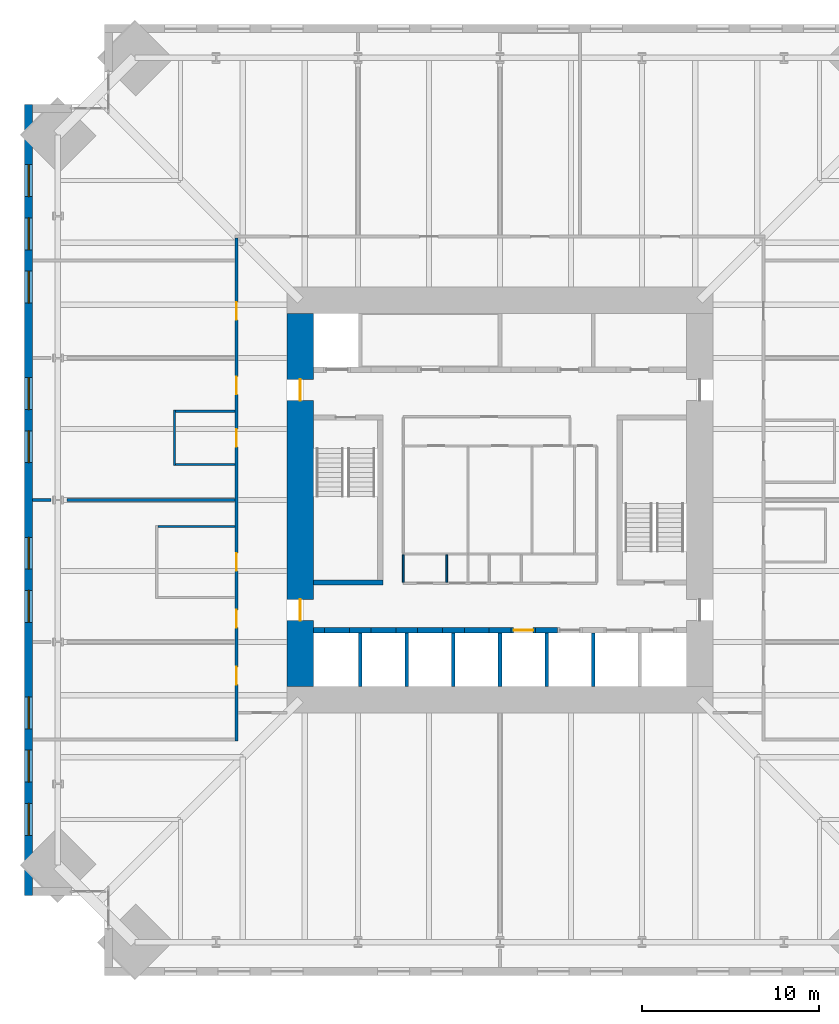
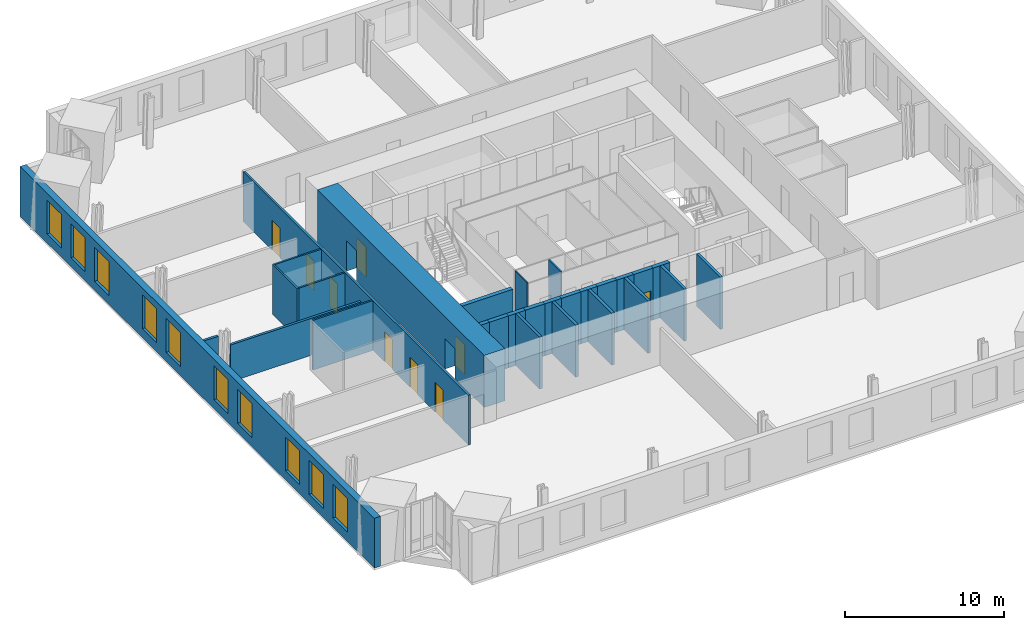
# One storey, part 12 of 17: 29 walls, 10 windows, 9 doors, 19 openings.
"""IFC4 building model written with IfcOpenShell, lengths in metres."""

from ifc_helpers import new_model, si_unit, direction, frame, frame_2d, origin, place, context, subcontext, project, spatial, rectangle, extrude, material, layer, layer_set, type_object, element, fill, save


model = new_model("IFC4")

# Units and contexts
model_context = context("Model", 3, precision=1e-05, world=origin(), true_north=direction((0.0, 1.0)))
body_context = subcontext(model_context, "Body", "Model", "MODEL_VIEW")
ifc_project = project(units=[si_unit("LENGTHUNIT", "METRE"), si_unit("AREAUNIT", "SQUARE_METRE"), si_unit("VOLUMEUNIT", "CUBIC_METRE"), si_unit("PLANEANGLEUNIT", "RADIAN"), si_unit("MASSUNIT", "GRAM", prefix="KILO")], contexts=[model_context])

# Site, building, storey
site_placement = place(None, origin())
site = spatial("IfcSite", under=ifc_project, at=site_placement, CompositionType="ELEMENT")
building_placement = place(site_placement, origin())
building = spatial("IfcBuilding", under=site, at=building_placement, Name="Peilmerk Tower", CompositionType="ELEMENT")
storey_placement = place(building_placement, frame((0.0, 0.0, 147.800048828125)))
storey = spatial("IfcBuildingStorey", under=building, at=storey_placement, Name="L30", CompositionType="ELEMENT", Elevation=147.800048828125)

# Wall, openings, windows
ifc_material_1 = material(Name="Precast concrete C45/55, board-marked finish", Category="concrete")
ifc_layer_1 = layer(ifc_material_1, 0.449951171875)
ifc_layer_set_1 = layer_set([ifc_layer_1], Name="Precast concrete C45/55, board-marked finish")
wall_type_1 = type_object("IfcWallType", Name="EW1 450 precast concrete facade wall, board-marked", PredefinedType="SOLIDWALL", material=ifc_layer_set_1)
wall_1_placement = place(storey_placement, frame((-26.574951171875, 22.300048828125, 0.0), z_axis=(0.0, 0.0, 1.0), x_axis=(0.0, -1.0, 0.0)))
wall_1 = element("IfcWall", 1, at=wall_1_placement, inside=storey, type_object=wall_type_1, Name="Facade wall W L30", PredefinedType="SOLIDWALL", context=body_context, shape_type="SweptSolid", body=[
    extrude(rectangle(XDim=44.60009765625, YDim=0.449951171875, at=frame_2d((22.300048828125, 0.0))), origin(), (0.0, 0.0, 1.0), 3.829833984375),
])
opening_1_placement = place(wall_1_placement, frame((3.39990234375, 0.0, 0.699951171875)))
opening_1 = element("IfcOpeningElement", 2, at=opening_1_placement, cuts=wall_1, Name="Opening W1", PredefinedType="OPENING", context=body_context, shape_type="SweptSolid", body=[
    extrude(rectangle(XDim=1.800048828125, YDim=2.60009765625, at=frame_2d((0.89990234375, 1.300048828125))), frame((0.0, 0.23486328125, 0.0), z_axis=(0.0, -1.0, 0.0), x_axis=(1.0, 0.0, 0.0)), (0.0, 0.0, 1.0), 0.469970703125),
])
opening_2_placement = place(wall_1_placement, frame((6.39990234375, 0.0, 0.699951171875)))
opening_2 = element("IfcOpeningElement", 3, at=opening_2_placement, cuts=wall_1, Name="Opening W1", PredefinedType="OPENING", context=body_context, shape_type="SweptSolid", body=[
    extrude(rectangle(XDim=1.800048828125, YDim=2.60009765625, at=frame_2d((0.89990234375, 1.300048828125))), frame((0.0, 0.23486328125, 0.0), z_axis=(0.0, -1.0, 0.0), x_axis=(1.0, 0.0, 0.0)), (0.0, 0.0, 1.0), 0.469970703125),
])
opening_3_placement = place(wall_1_placement, frame((9.39990234375, 0.0, 0.699951171875)))
opening_3 = element("IfcOpeningElement", 4, at=opening_3_placement, cuts=wall_1, Name="Opening W1", PredefinedType="OPENING", context=body_context, shape_type="SweptSolid", body=[
    extrude(rectangle(XDim=1.800048828125, YDim=2.60009765625, at=frame_2d((0.89990234375, 1.300048828125))), frame((0.0, 0.23486328125, 0.0), z_axis=(0.0, -1.0, 0.0), x_axis=(1.0, 0.0, 0.0)), (0.0, 0.0, 1.0), 0.469970703125),
])
opening_4_placement = place(wall_1_placement, frame((15.39990234375, 0.0, 0.699951171875)))
opening_4 = element("IfcOpeningElement", 5, at=opening_4_placement, cuts=wall_1, Name="Opening W1", PredefinedType="OPENING", context=body_context, shape_type="SweptSolid", body=[
    extrude(rectangle(XDim=1.800048828125, YDim=2.60009765625, at=frame_2d((0.89990234375, 1.300048828125))), frame((0.0, 0.23486328125, 0.0), z_axis=(0.0, -1.0, 0.0), x_axis=(1.0, 0.0, 0.0)), (0.0, 0.0, 1.0), 0.469970703125),
])
opening_5_placement = place(wall_1_placement, frame((18.39990234375, 0.0, 0.699951171875)))
opening_5 = element("IfcOpeningElement", 6, at=opening_5_placement, cuts=wall_1, Name="Opening W1", PredefinedType="OPENING", context=body_context, shape_type="SweptSolid", body=[
    extrude(rectangle(XDim=1.800048828125, YDim=2.60009765625, at=frame_2d((0.89990234375, 1.300048828125))), frame((0.0, 0.23486328125, 0.0), z_axis=(0.0, -1.0, 0.0), x_axis=(1.0, 0.0, 0.0)), (0.0, 0.0, 1.0), 0.469970703125),
])
opening_6_placement = place(wall_1_placement, frame((24.39990234375, 0.0, 0.699951171875)))
opening_6 = element("IfcOpeningElement", 7, at=opening_6_placement, cuts=wall_1, Name="Opening W1", PredefinedType="OPENING", context=body_context, shape_type="SweptSolid", body=[
    extrude(rectangle(XDim=1.800048828125, YDim=2.60009765625, at=frame_2d((0.89990234375, 1.300048828125))), frame((0.0, 0.23486328125, 0.0), z_axis=(0.0, -1.0, 0.0), x_axis=(1.0, 0.0, 0.0)), (0.0, 0.0, 1.0), 0.469970703125),
])
opening_7_placement = place(wall_1_placement, frame((27.39990234375, 0.0, 0.699951171875)))
opening_7 = element("IfcOpeningElement", 8, at=opening_7_placement, cuts=wall_1, Name="Opening W1", PredefinedType="OPENING", context=body_context, shape_type="SweptSolid", body=[
    extrude(rectangle(XDim=1.800048828125, YDim=2.60009765625, at=frame_2d((0.89990234375, 1.300048828125))), frame((0.0, 0.23486328125, 0.0), z_axis=(0.0, -1.0, 0.0), x_axis=(1.0, 0.0, 0.0)), (0.0, 0.0, 1.0), 0.469970703125),
])
opening_8_placement = place(wall_1_placement, frame((33.39990234375, 0.0, 0.699951171875)))
opening_8 = element("IfcOpeningElement", 9, at=opening_8_placement, cuts=wall_1, Name="Opening W1", PredefinedType="OPENING", context=body_context, shape_type="SweptSolid", body=[
    extrude(rectangle(XDim=1.800048828125, YDim=2.60009765625, at=frame_2d((0.89990234375, 1.300048828125))), frame((0.0, 0.23486328125, 0.0), z_axis=(0.0, -1.0, 0.0), x_axis=(1.0, 0.0, 0.0)), (0.0, 0.0, 1.0), 0.469970703125),
])
opening_9_placement = place(wall_1_placement, frame((36.39990234375, 0.0, 0.699951171875)))
opening_9 = element("IfcOpeningElement", 10, at=opening_9_placement, cuts=wall_1, Name="Opening W1", PredefinedType="OPENING", context=body_context, shape_type="SweptSolid", body=[
    extrude(rectangle(XDim=1.800048828125, YDim=2.60009765625, at=frame_2d((0.89990234375, 1.300048828125))), frame((0.0, 0.23486328125, 0.0), z_axis=(0.0, -1.0, 0.0), x_axis=(1.0, 0.0, 0.0)), (0.0, 0.0, 1.0), 0.469970703125),
])
opening_10_placement = place(wall_1_placement, frame((39.39990234375, 0.0, 0.699951171875)))
opening_10 = element("IfcOpeningElement", 11, at=opening_10_placement, cuts=wall_1, Name="Opening W1", PredefinedType="OPENING", context=body_context, shape_type="SweptSolid", body=[
    extrude(rectangle(XDim=1.800048828125, YDim=2.60009765625, at=frame_2d((0.89990234375, 1.300048828125))), frame((0.0, 0.23486328125, 0.0), z_axis=(0.0, -1.0, 0.0), x_axis=(1.0, 0.0, 0.0)), (0.0, 0.0, 1.0), 0.469970703125),
])
ifc_material_2 = material(Name="Aluminium frame, clear double glazing", Category="aluminium")
window_type = type_object("IfcWindowType", Name="W1 1800x2600 office window", PartitioningType="SINGLE_PANEL", PredefinedType="WINDOW", material=ifc_material_2)
window_1_placement = place(opening_1_placement, origin())
window_1 = element("IfcWindow", 12, at=window_1_placement, inside=storey, type_object=window_type, Name="Window W1 L30", OverallHeight=2.60009765625, OverallWidth=1.800048828125, PartitioningType="SINGLE_PANEL", PredefinedType="WINDOW", context=body_context, shape_type="SweptSolid", body=[
    extrude(rectangle(XDim=1.800048828125, YDim=2.60009765625, at=frame_2d((0.89990234375, 1.300048828125))), frame((0.0, 0.030029296875, 0.0), z_axis=(0.0, -1.0, 0.0), x_axis=(1.0, 0.0, 0.0)), (0.0, 0.0, 1.0), 0.06005859375),
])
fill(opening_1, window_1)
window_2_placement = place(opening_2_placement, origin())
window_2 = element("IfcWindow", 13, at=window_2_placement, inside=storey, type_object=window_type, Name="Window W1 L30", OverallHeight=2.60009765625, OverallWidth=1.800048828125, PartitioningType="SINGLE_PANEL", PredefinedType="WINDOW", context=body_context, shape_type="SweptSolid", body=[
    extrude(rectangle(XDim=1.800048828125, YDim=2.60009765625, at=frame_2d((0.89990234375, 1.300048828125))), frame((0.0, 0.030029296875, 0.0), z_axis=(0.0, -1.0, 0.0), x_axis=(1.0, 0.0, 0.0)), (0.0, 0.0, 1.0), 0.06005859375),
])
fill(opening_2, window_2)
window_3_placement = place(opening_3_placement, origin())
window_3 = element("IfcWindow", 14, at=window_3_placement, inside=storey, type_object=window_type, Name="Window W1 L30", OverallHeight=2.60009765625, OverallWidth=1.800048828125, PartitioningType="SINGLE_PANEL", PredefinedType="WINDOW", context=body_context, shape_type="SweptSolid", body=[
    extrude(rectangle(XDim=1.800048828125, YDim=2.60009765625, at=frame_2d((0.89990234375, 1.300048828125))), frame((0.0, 0.030029296875, 0.0), z_axis=(0.0, -1.0, 0.0), x_axis=(1.0, 0.0, 0.0)), (0.0, 0.0, 1.0), 0.06005859375),
])
fill(opening_3, window_3)
window_4_placement = place(opening_4_placement, origin())
window_4 = element("IfcWindow", 15, at=window_4_placement, inside=storey, type_object=window_type, Name="Window W1 L30", OverallHeight=2.60009765625, OverallWidth=1.800048828125, PartitioningType="SINGLE_PANEL", PredefinedType="WINDOW", context=body_context, shape_type="SweptSolid", body=[
    extrude(rectangle(XDim=1.800048828125, YDim=2.60009765625, at=frame_2d((0.89990234375, 1.300048828125))), frame((0.0, 0.030029296875, 0.0), z_axis=(0.0, -1.0, 0.0), x_axis=(1.0, 0.0, 0.0)), (0.0, 0.0, 1.0), 0.06005859375),
])
fill(opening_4, window_4)
window_5_placement = place(opening_5_placement, origin())
window_5 = element("IfcWindow", 16, at=window_5_placement, inside=storey, type_object=window_type, Name="Window W1 L30", OverallHeight=2.60009765625, OverallWidth=1.800048828125, PartitioningType="SINGLE_PANEL", PredefinedType="WINDOW", context=body_context, shape_type="SweptSolid", body=[
    extrude(rectangle(XDim=1.800048828125, YDim=2.60009765625, at=frame_2d((0.89990234375, 1.300048828125))), frame((0.0, 0.030029296875, 0.0), z_axis=(0.0, -1.0, 0.0), x_axis=(1.0, 0.0, 0.0)), (0.0, 0.0, 1.0), 0.06005859375),
])
fill(opening_5, window_5)
window_6_placement = place(opening_6_placement, origin())
window_6 = element("IfcWindow", 17, at=window_6_placement, inside=storey, type_object=window_type, Name="Window W1 L30", OverallHeight=2.60009765625, OverallWidth=1.800048828125, PartitioningType="SINGLE_PANEL", PredefinedType="WINDOW", context=body_context, shape_type="SweptSolid", body=[
    extrude(rectangle(XDim=1.800048828125, YDim=2.60009765625, at=frame_2d((0.89990234375, 1.300048828125))), frame((0.0, 0.030029296875, 0.0), z_axis=(0.0, -1.0, 0.0), x_axis=(1.0, 0.0, 0.0)), (0.0, 0.0, 1.0), 0.06005859375),
])
fill(opening_6, window_6)
window_7_placement = place(opening_7_placement, origin())
window_7 = element("IfcWindow", 18, at=window_7_placement, inside=storey, type_object=window_type, Name="Window W1 L30", OverallHeight=2.60009765625, OverallWidth=1.800048828125, PartitioningType="SINGLE_PANEL", PredefinedType="WINDOW", context=body_context, shape_type="SweptSolid", body=[
    extrude(rectangle(XDim=1.800048828125, YDim=2.60009765625, at=frame_2d((0.89990234375, 1.300048828125))), frame((0.0, 0.030029296875, 0.0), z_axis=(0.0, -1.0, 0.0), x_axis=(1.0, 0.0, 0.0)), (0.0, 0.0, 1.0), 0.06005859375),
])
fill(opening_7, window_7)
window_8_placement = place(opening_8_placement, origin())
window_8 = element("IfcWindow", 19, at=window_8_placement, inside=storey, type_object=window_type, Name="Window W1 L30", OverallHeight=2.60009765625, OverallWidth=1.800048828125, PartitioningType="SINGLE_PANEL", PredefinedType="WINDOW", context=body_context, shape_type="SweptSolid", body=[
    extrude(rectangle(XDim=1.800048828125, YDim=2.60009765625, at=frame_2d((0.89990234375, 1.300048828125))), frame((0.0, 0.030029296875, 0.0), z_axis=(0.0, -1.0, 0.0), x_axis=(1.0, 0.0, 0.0)), (0.0, 0.0, 1.0), 0.06005859375),
])
fill(opening_8, window_8)
window_9_placement = place(opening_9_placement, origin())
window_9 = element("IfcWindow", 20, at=window_9_placement, inside=storey, type_object=window_type, Name="Window W1 L30", OverallHeight=2.60009765625, OverallWidth=1.800048828125, PartitioningType="SINGLE_PANEL", PredefinedType="WINDOW", context=body_context, shape_type="SweptSolid", body=[
    extrude(rectangle(XDim=1.800048828125, YDim=2.60009765625, at=frame_2d((0.89990234375, 1.300048828125))), frame((0.0, 0.030029296875, 0.0), z_axis=(0.0, -1.0, 0.0), x_axis=(1.0, 0.0, 0.0)), (0.0, 0.0, 1.0), 0.06005859375),
])
fill(opening_9, window_9)
window_10_placement = place(opening_10_placement, origin())
window_10 = element("IfcWindow", 21, at=window_10_placement, inside=storey, type_object=window_type, Name="Window W1 L30", OverallHeight=2.60009765625, OverallWidth=1.800048828125, PartitioningType="SINGLE_PANEL", PredefinedType="WINDOW", context=body_context, shape_type="SweptSolid", body=[
    extrude(rectangle(XDim=1.800048828125, YDim=2.60009765625, at=frame_2d((0.89990234375, 1.300048828125))), frame((0.0, 0.030029296875, 0.0), z_axis=(0.0, -1.0, 0.0), x_axis=(1.0, 0.0, 0.0)), (0.0, 0.0, 1.0), 0.06005859375),
])
fill(opening_10, window_10)

# Wall, openings, doors
ifc_material_3 = material(Name="Calcium silicate block", Category="masonry")
ifc_layer_2 = layer(ifc_material_3, 0.14990234375)
ifc_layer_set_2 = layer_set([ifc_layer_2], Name="Calcium silicate block")
wall_type_2 = type_object("IfcWallType", Name="IW1 150 corridor partition, EI 60", PredefinedType="PARTITIONING", material=ifc_layer_set_2)
wall_2_placement = place(storey_placement, frame((-14.85009765625, 14.77490234375, 0.0), z_axis=(0.0, 0.0, 1.0), x_axis=(0.0, -1.0, 0.0)))
wall_2 = element("IfcWall", 22, at=wall_2_placement, inside=storey, type_object=wall_type_2, Name="Corridor wall W L30", PredefinedType="PARTITIONING", context=body_context, shape_type="SweptSolid", body=[
    extrude(rectangle(XDim=28.349853515625, YDim=0.14990234375, at=frame_2d((14.1748046875, 0.0))), origin(), (0.0, 0.0, 1.0), 3.829833984375),
])
opening_11_placement = place(wall_2_placement, frame((24.175048828125, 0.0, 0.0)))
opening_11 = element("IfcOpeningElement", 23, at=opening_11_placement, cuts=wall_2, Name="Opening D1", PredefinedType="OPENING", context=body_context, shape_type="SweptSolid", body=[
    extrude(rectangle(XDim=1.0, YDim=2.300048828125, at=frame_2d((0.5, 1.14990234375))), frame((0.0, 0.0849609375, 0.0), z_axis=(0.0, -1.0, 0.0), x_axis=(1.0, 0.0, 0.0)), (0.0, 0.0, 1.0), 0.169921875),
])
opening_12_placement = place(wall_2_placement, frame((20.97509765625, 0.0, 0.0)))
opening_12 = element("IfcOpeningElement", 24, at=opening_12_placement, cuts=wall_2, Name="Opening D1", PredefinedType="OPENING", context=body_context, shape_type="SweptSolid", body=[
    extrude(rectangle(XDim=1.0, YDim=2.300048828125, at=frame_2d((0.5, 1.14990234375))), frame((0.0, 0.0849609375, 0.0), z_axis=(0.0, -1.0, 0.0), x_axis=(1.0, 0.0, 0.0)), (0.0, 0.0, 1.0), 0.169921875),
])
opening_13_placement = place(wall_2_placement, frame((7.824951171875, 0.0, 0.0)))
opening_13 = element("IfcOpeningElement", 25, at=opening_13_placement, cuts=wall_2, Name="Opening D1", PredefinedType="OPENING", context=body_context, shape_type="SweptSolid", body=[
    extrude(rectangle(XDim=1.0, YDim=2.300048828125, at=frame_2d((0.5, 1.14990234375))), frame((0.0, 0.0849609375, 0.0), z_axis=(0.0, -1.0, 0.0), x_axis=(1.0, 0.0, 0.0)), (0.0, 0.0, 1.0), 0.169921875),
])
opening_14_placement = place(wall_2_placement, frame((3.625, 0.0, 0.0)))
opening_14 = element("IfcOpeningElement", 26, at=opening_14_placement, cuts=wall_2, Name="Opening D1", PredefinedType="OPENING", context=body_context, shape_type="SweptSolid", body=[
    extrude(rectangle(XDim=1.0, YDim=2.300048828125, at=frame_2d((0.5, 1.14990234375))), frame((0.0, 0.0849609375, 0.0), z_axis=(0.0, -1.0, 0.0), x_axis=(1.0, 0.0, 0.0)), (0.0, 0.0, 1.0), 0.169921875),
])
opening_15_placement = place(wall_2_placement, frame((10.77490234375, 0.0, 0.0)))
opening_15 = element("IfcOpeningElement", 27, at=opening_15_placement, cuts=wall_2, Name="Opening D1", PredefinedType="OPENING", context=body_context, shape_type="SweptSolid", body=[
    extrude(rectangle(XDim=1.0, YDim=2.300048828125, at=frame_2d((0.5, 1.14990234375))), frame((0.0, 0.0849609375, 0.0), z_axis=(0.0, -1.0, 0.0), x_axis=(1.0, 0.0, 0.0)), (0.0, 0.0, 1.0), 0.169921875),
])
opening_16_placement = place(wall_2_placement, frame((17.77490234375, 0.0, 0.0)))
opening_16 = element("IfcOpeningElement", 28, at=opening_16_placement, cuts=wall_2, Name="Opening D1", PredefinedType="OPENING", context=body_context, shape_type="SweptSolid", body=[
    extrude(rectangle(XDim=1.0, YDim=2.300048828125, at=frame_2d((0.5, 1.14990234375))), frame((0.0, 0.0849609375, 0.0), z_axis=(0.0, -1.0, 0.0), x_axis=(1.0, 0.0, 0.0)), (0.0, 0.0, 1.0), 0.169921875),
])
ifc_material_4 = material(Name="Timber door in steel frame", Category="steel")
door_type_1 = type_object("IfcDoorType", Name="D1 1000x2300 room door, EI2 30", OperationType="SINGLE_SWING_LEFT", PredefinedType="DOOR", material=ifc_material_4)
door_1_placement = place(opening_11_placement, frame((1.0, 0.0, 0.0), z_axis=(0.0, 0.0, 1.0), x_axis=(-1.0, 0.0, 0.0)))
door_1 = element("IfcDoor", 29, at=door_1_placement, inside=storey, type_object=door_type_1, Name="Door Team workspace L30", OperationType="SINGLE_SWING_LEFT", OverallHeight=2.300048828125, OverallWidth=1.0, PredefinedType="DOOR", context=body_context, shape_type="SweptSolid", body=[
    extrude(rectangle(XDim=1.0, YDim=2.300048828125, at=frame_2d((0.5, 1.14990234375))), frame((0.0, 0.02490234375, 0.0), z_axis=(0.0, -1.0, 0.0), x_axis=(1.0, 0.0, 0.0)), (0.0, 0.0, 1.0), 0.050048828125),
])
fill(opening_11, door_1)
door_2_placement = place(opening_12_placement, frame((1.0, 0.0, 0.0), z_axis=(0.0, 0.0, 1.0), x_axis=(-1.0, 0.0, 0.0)))
door_2 = element("IfcDoor", 30, at=door_2_placement, inside=storey, type_object=door_type_1, Name="Door Team workspace L30", OperationType="SINGLE_SWING_LEFT", OverallHeight=2.300048828125, OverallWidth=1.0, PredefinedType="DOOR", context=body_context, shape_type="SweptSolid", body=[
    extrude(rectangle(XDim=1.0, YDim=2.300048828125, at=frame_2d((0.5, 1.14990234375))), frame((0.0, 0.02490234375, 0.0), z_axis=(0.0, -1.0, 0.0), x_axis=(1.0, 0.0, 0.0)), (0.0, 0.0, 1.0), 0.050048828125),
])
fill(opening_12, door_2)
door_3_placement = place(opening_13_placement, frame((1.0, 0.0, 0.0), z_axis=(0.0, 0.0, 1.0), x_axis=(-1.0, 0.0, 0.0)))
door_3 = element("IfcDoor", 31, at=door_3_placement, inside=storey, type_object=door_type_1, Name="Door Team workspace L30", OperationType="SINGLE_SWING_LEFT", OverallHeight=2.300048828125, OverallWidth=1.0, PredefinedType="DOOR", context=body_context, shape_type="SweptSolid", body=[
    extrude(rectangle(XDim=1.0, YDim=2.300048828125, at=frame_2d((0.5, 1.14990234375))), frame((0.0, 0.02490234375, 0.0), z_axis=(0.0, -1.0, 0.0), x_axis=(1.0, 0.0, 0.0)), (0.0, 0.0, 1.0), 0.050048828125),
])
fill(opening_13, door_3)
door_4_placement = place(opening_14_placement, frame((1.0, 0.0, 0.0), z_axis=(0.0, 0.0, 1.0), x_axis=(-1.0, 0.0, 0.0)))
door_4 = element("IfcDoor", 32, at=door_4_placement, inside=storey, type_object=door_type_1, Name="Door Team workspace L30", OperationType="SINGLE_SWING_LEFT", OverallHeight=2.300048828125, OverallWidth=1.0, PredefinedType="DOOR", context=body_context, shape_type="SweptSolid", body=[
    extrude(rectangle(XDim=1.0, YDim=2.300048828125, at=frame_2d((0.5, 1.14990234375))), frame((0.0, 0.02490234375, 0.0), z_axis=(0.0, -1.0, 0.0), x_axis=(1.0, 0.0, 0.0)), (0.0, 0.0, 1.0), 0.050048828125),
])
fill(opening_14, door_4)
door_5_placement = place(opening_15_placement, frame((1.0, 0.0, 0.0), z_axis=(0.0, 0.0, 1.0), x_axis=(-1.0, 0.0, 0.0)))
door_5 = element("IfcDoor", 33, at=door_5_placement, inside=storey, type_object=door_type_1, Name="Door Focus room L30", OperationType="SINGLE_SWING_LEFT", OverallHeight=2.300048828125, OverallWidth=1.0, PredefinedType="DOOR", context=body_context, shape_type="SweptSolid", body=[
    extrude(rectangle(XDim=1.0, YDim=2.300048828125, at=frame_2d((0.5, 1.14990234375))), frame((0.0, 0.02490234375, 0.0), z_axis=(0.0, -1.0, 0.0), x_axis=(1.0, 0.0, 0.0)), (0.0, 0.0, 1.0), 0.050048828125),
])
fill(opening_15, door_5)
door_6_placement = place(opening_16_placement, frame((1.0, 0.0, 0.0), z_axis=(0.0, 0.0, 1.0), x_axis=(-1.0, 0.0, 0.0)))
door_6 = element("IfcDoor", 34, at=door_6_placement, inside=storey, type_object=door_type_1, Name="Door Meeting room L30", OperationType="SINGLE_SWING_LEFT", OverallHeight=2.300048828125, OverallWidth=1.0, PredefinedType="DOOR", context=body_context, shape_type="SweptSolid", body=[
    extrude(rectangle(XDim=1.0, YDim=2.300048828125, at=frame_2d((0.5, 1.14990234375))), frame((0.0, 0.02490234375, 0.0), z_axis=(0.0, -1.0, 0.0), x_axis=(1.0, 0.0, 0.0)), (0.0, 0.0, 1.0), 0.050048828125),
])
fill(opening_16, door_6)

# Walls
ifc_material_5 = material(Name="Concrete C35/45", Category="concrete")
ifc_layer_3 = layer(ifc_material_5, 0.300048828125)
ifc_layer_set_3 = layer_set([ifc_layer_3], Name="Concrete C35/45")
wall_type_3 = type_object("IfcWallType", Name="IW3 300 concrete stair enclosure wall, EI 120", PredefinedType="SOLIDWALL", material=ifc_layer_set_3)
wall_3_placement = place(storey_placement, frame((-6.60009765625, -4.64990234375, 0.0), z_axis=(0.0, 0.0, 1.0), x_axis=(-1.0, 0.0, 0.0)))
element("IfcWall", 35, at=wall_3_placement, inside=storey, type_object=wall_type_3, Name="Stair 1 enclosure L30", PredefinedType="SOLIDWALL", context=body_context, shape_type="SweptSolid", body=[
    extrude(rectangle(XDim=3.89990234375, YDim=0.300048828125, at=frame_2d((1.949951171875, 0.0))), origin(), (0.0, 0.0, 1.0), 3.75),
])
ifc_material_6 = material(Name="Calcium silicate board on steel studs", Category="steel")
ifc_layer_4 = layer(ifc_material_6, 0.10009765625)
ifc_layer_set_4 = layer_set([ifc_layer_4], Name="Calcium silicate board on steel studs")
wall_type_4 = type_object("IfcWallType", Name="IW5 100 riser enclosure wall, EI 60", PredefinedType="PARTITIONING", material=ifc_layer_set_4)
for number, where, z_axis, x_axis, name in (
    (36, (-5.449951171875, -3.10009765625, 0.0), (0.0, 0.0, 1.0), (0.0, -1.0, 0.0), "Riser wall L30"),
    (37, (-3.0, -3.10009765625, 0.0), (0.0, 0.0, 1.0), (0.0, -1.0, 0.0), "Riser wall L30"),
):
    element("IfcWall", number, at=place(storey_placement, frame(where, z_axis=z_axis, x_axis=x_axis)), inside=storey, type_object=wall_type_4, Name=name, PredefinedType="PARTITIONING", context=body_context, shape_type="SweptSolid", body=[
        extrude(rectangle(XDim=1.5498046875, YDim=0.10009765625, at=frame_2d((0.77490234375, 0.0))), origin(), (0.0, 0.0, 1.0), 3.75),
    ])
ifc_material_7 = material(Name="Plasterboard on steel studs, double boarded with mineral wool", Category="steel")
ifc_layer_5 = layer(ifc_material_7, 0.125)
ifc_layer_set_5 = layer_set([ifc_layer_5], Name="Plasterboard on steel studs, double boarded with mineral wool")
wall_type_5 = type_object("IfcWallType", Name="IW7 125 acoustic partition, EI 30", PredefinedType="PARTITIONING", material=ifc_layer_set_5)
wall_4_placement = place(storey_placement, frame((-18.35009765625, 1.9375, 0.0), z_axis=(0.0, 0.0, 1.0), x_axis=(0.0, 1.0, 0.0)))
element("IfcWall", 38, at=wall_4_placement, inside=storey, type_object=wall_type_5, Name="Acoustic partition Focus room L30", PredefinedType="PARTITIONING", context=body_context, shape_type="SweptSolid", body=[
    extrude(rectangle(XDim=3.125, YDim=0.125, at=frame_2d((1.5625, 0.0))), origin(), (0.0, 0.0, 1.0), 3.829833984375),
])
for number, where, z_axis, x_axis, name in (
    (39, (-14.925048828125, 2.0, 0.0), (0.0, 0.0, 1.0), (-1.0, 0.0, 0.0), "Acoustic partition Focus room L30"),
    (40, (-14.925048828125, 5.0, 0.0), (0.0, 0.0, 1.0), (-1.0, 0.0, 0.0), "Acoustic partition Focus room L30"),
):
    element("IfcWall", number, at=place(storey_placement, frame(where, z_axis=z_axis, x_axis=x_axis)), inside=storey, type_object=wall_type_5, Name=name, PredefinedType="PARTITIONING", context=body_context, shape_type="SweptSolid", body=[
        extrude(rectangle(XDim=3.362548828125, YDim=0.125, at=frame_2d((1.68115234375, 0.0))), origin(), (0.0, 0.0, 1.0), 3.829833984375),
    ])
wall_5_placement = place(storey_placement, frame((-14.925048828125, -1.5, 0.0), z_axis=(0.0, 0.0, 1.0), x_axis=(-1.0, 0.0, 0.0)))
element("IfcWall", 41, at=wall_5_placement, inside=storey, type_object=wall_type_5, Name="Acoustic partition Meeting room L30", PredefinedType="PARTITIONING", context=body_context, shape_type="SweptSolid", body=[
    extrude(rectangle(XDim=4.362548828125, YDim=0.125, at=frame_2d((2.18115234375, 0.0))), origin(), (0.0, 0.0, 1.0), 3.829833984375),
])
ifc_layer_6 = layer(ifc_material_3, 0.175048828125)
ifc_layer_set_6 = layer_set([ifc_layer_6], Name="Calcium silicate block")
wall_type_6 = type_object("IfcWallType", Name="IW8 175 tenant separating wall, EI 60", PredefinedType="PARTITIONING", material=ifc_layer_set_6)
wall_6_placement = place(storey_placement, frame((-14.925048828125, 0.0, 0.0), z_axis=(0.0, 0.0, 1.0), x_axis=(-1.0, 0.0, 0.0)))
element("IfcWall", 42, at=wall_6_placement, inside=storey, type_object=wall_type_6, Name="Tenant separating wall W2 L30", PredefinedType="PARTITIONING", context=body_context, shape_type="SweptSolid", body=[
    extrude(rectangle(XDim=9.48681640625, YDim=0.175048828125, at=frame_2d((4.743408203125, 0.0))), origin(), (0.0, 0.0, 1.0), 2.83984375),
])
wall_7_placement = place(storey_placement, frame((-25.301025390625, 0.0, 0.0), z_axis=(0.0, 0.0, 1.0), x_axis=(-1.0, 0.0, 0.0)))
element("IfcWall", 43, at=wall_7_placement, inside=storey, type_object=wall_type_6, Name="Tenant separating wall W2b L30", PredefinedType="PARTITIONING", context=body_context, shape_type="SweptSolid", body=[
    extrude(rectangle(XDim=1.049072265625, YDim=0.175048828125, at=frame_2d((0.5244140625, 0.0))), origin(), (0.0, 0.0, 1.0), 3.829833984375),
])
ifc_layer_7 = layer(ifc_material_3, 0.199951171875)
ifc_layer_set_7 = layer_set([ifc_layer_7], Name="Calcium silicate block")
wall_type_7 = type_object("IfcWallType", Name="SH1 200 shaft dividing wall, EI 120", PredefinedType="PARTITIONING", material=ifc_layer_set_7)
for number, where, z_axis, x_axis, name in (
    (44, (-7.875, -10.5, 0.0), (0.0, 0.0, 1.0), (0.0, 1.0, 0.0), "Shaft wall S C4 L30"),
    (45, (-5.25, -10.5, 0.0), (0.0, 0.0, 1.0), (0.0, 1.0, 0.0), "Shaft wall S C3 L30"),
    (46, (-2.625, -10.5, 0.0), (0.0, 0.0, 1.0), (0.0, 1.0, 0.0), "Shaft wall S C2 L30"),
    (47, (0.0, -10.5, 0.0), (0.0, 0.0, 1.0), (0.0, 1.0, 0.0), "Shaft wall S C1 L30"),
    (48, (2.625, -10.5, 0.0), (0.0, 0.0, 1.0), (0.0, 1.0, 0.0), "Shaft wall S B3 L30"),
    (49, (5.25, -10.5, 0.0), (0.0, 0.0, 1.0), (0.0, 1.0, 0.0), "Shaft wall S B2 L30"),
):
    element("IfcWall", number, at=place(storey_placement, frame(where, z_axis=z_axis, x_axis=x_axis)), inside=storey, type_object=wall_type_7, Name=name, PredefinedType="PARTITIONING", context=body_context, shape_type="SweptSolid", body=[
        extrude(rectangle(XDim=3.0, YDim=0.199951171875, at=frame_2d((1.5, 0.0))), origin(), (0.0, 0.0, 1.0), 4.0),
    ])
ifc_layer_8 = layer(ifc_material_3, 0.300048828125)
ifc_layer_set_8 = layer_set([ifc_layer_8], Name="Calcium silicate block")
wall_type_8 = type_object("IfcWallType", Name="SH2 300 lift landing door panel, EI 120", PredefinedType="PARTITIONING", material=ifc_layer_set_8)
for number, where, z_axis, x_axis, name in (
    (50, (-9.887451171875, -7.35009765625, 0.0), (0.0, 0.0, 1.0), (1.0, 0.0, 0.0), "Lift door panel S C4 L30"),
    (51, (-7.262451171875, -7.35009765625, 0.0), (0.0, 0.0, 1.0), (1.0, 0.0, 0.0), "Lift door panel S C3 L30"),
    (52, (-4.637451171875, -7.35009765625, 0.0), (0.0, 0.0, 1.0), (1.0, 0.0, 0.0), "Lift door panel S C2 L30"),
    (53, (-2.012451171875, -7.35009765625, 0.0), (0.0, 0.0, 1.0), (1.0, 0.0, 0.0), "Lift door panel S C1 L30"),
):
    element("IfcWall", number, at=place(storey_placement, frame(where, z_axis=z_axis, x_axis=x_axis)), inside=storey, type_object=wall_type_8, Name=name, PredefinedType="PARTITIONING", context=body_context, shape_type="SweptSolid", body=[
        extrude(rectangle(XDim=1.39990234375, YDim=0.300048828125, at=frame_2d((0.699951171875, 0.0))), origin(), (0.0, 0.0, 1.0), 4.0),
    ])

# Wall, opening, door
wall_8_placement = place(storey_placement, frame((0.612548828125, -7.35009765625, 0.0), z_axis=(0.0, 0.0, 1.0), x_axis=(1.0, 0.0, 0.0)))
wall_8 = element("IfcWall", 54, at=wall_8_placement, inside=storey, type_object=wall_type_8, Name="Lift door panel S B3 L30", PredefinedType="PARTITIONING", context=body_context, shape_type="SweptSolid", body=[
    extrude(rectangle(XDim=1.39990234375, YDim=0.300048828125, at=frame_2d((0.699951171875, 0.0))), origin(), (0.0, 0.0, 1.0), 4.0),
])
opening_17_placement = place(wall_8_placement, frame((0.14990234375, 0.0, 0.0)))
opening_17 = element("IfcOpeningElement", 55, at=opening_17_placement, cuts=wall_8, Name="Opening LD1", PredefinedType="OPENING", context=body_context, shape_type="SweptSolid", body=[
    extrude(rectangle(XDim=1.10009765625, YDim=2.300048828125, at=frame_2d((0.550048828125, 1.14990234375))), frame((0.0, 0.159912109375, 0.0), z_axis=(0.0, -1.0, 0.0), x_axis=(1.0, 0.0, 0.0)), (0.0, 0.0, 1.0), 0.320068359375),
])
ifc_material_8 = material(Name="Stainless steel landing door", Category="steel")
door_type_2 = type_object("IfcDoorType", Name="LD1 1100x2300 lift landing door, sliding, EI2 60", OperationType="SLIDING_TO_LEFT", PredefinedType="DOOR", material=ifc_material_8)
door_7_placement = place(opening_17_placement, origin())
door_7 = element("IfcDoor", 56, at=door_7_placement, inside=storey, type_object=door_type_2, Name="Lift landing door B3 L30", OperationType="SLIDING_TO_LEFT", OverallHeight=2.300048828125, OverallWidth=1.10009765625, PredefinedType="DOOR", context=body_context, shape_type="SweptSolid", body=[
    extrude(rectangle(XDim=1.10009765625, YDim=2.300048828125, at=frame_2d((0.550048828125, 1.14990234375))), frame((0.0, 0.02490234375, 0.0), z_axis=(0.0, -1.0, 0.0), x_axis=(1.0, 0.0, 0.0)), (0.0, 0.0, 1.0), 0.050048828125),
])
fill(opening_17, door_7)

# Wall, openings, doors
ifc_material_9 = material(Name="Concrete C55/67", Category="concrete")
ifc_layer_9 = layer(ifc_material_9, 1.5)
ifc_layer_set_9 = layer_set([ifc_layer_9], Name="Concrete C55/67")
wall_type_9 = type_object("IfcWallType", Name="SW1 1500 core wall", PredefinedType="SHEAR", material=ifc_layer_set_9)
wall_9_placement = place(storey_placement, frame((-11.25, -10.5, 0.0), z_axis=(0.0, 0.0, 1.0), x_axis=(0.0, 1.0, 0.0)))
wall_9 = element("IfcWall", 57, at=wall_9_placement, inside=storey, type_object=wall_type_9, Name="Core wall W L30", PredefinedType="SHEAR", context=body_context, shape_type="SweptSolid", body=[
    extrude(rectangle(XDim=21.0, YDim=1.5, at=frame_2d((10.5, 0.0))), origin(), (0.0, 0.0, 1.0), 4.0),
])
opening_18_placement = place(wall_9_placement, frame((16.10009765625, 0.0, 0.0)))
opening_18 = element("IfcOpeningElement", 58, at=opening_18_placement, cuts=wall_9, Name="Opening D3", PredefinedType="OPENING", context=body_context, shape_type="SweptSolid", body=[
    extrude(rectangle(XDim=1.199951171875, YDim=2.300048828125, at=frame_2d((0.60009765625, 1.14990234375))), frame((0.0, 0.760009765625, 0.0), z_axis=(0.0, -1.0, 0.0), x_axis=(1.0, 0.0, 0.0)), (0.0, 0.0, 1.0), 1.52001953125),
])
opening_19_placement = place(wall_9_placement, frame((3.699951171875, 0.0, 0.0)))
opening_19 = element("IfcOpeningElement", 59, at=opening_19_placement, cuts=wall_9, Name="Opening D3", PredefinedType="OPENING", context=body_context, shape_type="SweptSolid", body=[
    extrude(rectangle(XDim=1.199951171875, YDim=2.300048828125, at=frame_2d((0.60009765625, 1.14990234375))), frame((0.0, 0.760009765625, 0.0), z_axis=(0.0, -1.0, 0.0), x_axis=(1.0, 0.0, 0.0)), (0.0, 0.0, 1.0), 1.52001953125),
])
ifc_material_10 = material(Name="Steel door in steel frame", Category="steel")
door_type_3 = type_object("IfcDoorType", Name="D3 1200x2300 core door, EI2 60", OperationType="SINGLE_SWING_LEFT", PredefinedType="DOOR", material=ifc_material_10)
door_8_placement = place(opening_18_placement, frame((1.199951171875, 0.0, 0.0), z_axis=(0.0, 0.0, 1.0), x_axis=(-1.0, 0.0, 0.0)))
door_8 = element("IfcDoor", 60, at=door_8_placement, inside=storey, type_object=door_type_3, Name="Core door L30", OperationType="SINGLE_SWING_LEFT", OverallHeight=2.300048828125, OverallWidth=1.199951171875, PredefinedType="DOOR", context=body_context, shape_type="SweptSolid", body=[
    extrude(rectangle(XDim=1.199951171875, YDim=2.300048828125, at=frame_2d((0.60009765625, 1.14990234375))), frame((0.0, 0.02490234375, 0.0), z_axis=(0.0, -1.0, 0.0), x_axis=(1.0, 0.0, 0.0)), (0.0, 0.0, 1.0), 0.050048828125),
])
fill(opening_18, door_8)
door_9_placement = place(opening_19_placement, frame((1.199951171875, 0.0, 0.0), z_axis=(0.0, 0.0, 1.0), x_axis=(-1.0, 0.0, 0.0)))
door_9 = element("IfcDoor", 61, at=door_9_placement, inside=storey, type_object=door_type_3, Name="Core door L30", OperationType="SINGLE_SWING_LEFT", OverallHeight=2.300048828125, OverallWidth=1.199951171875, PredefinedType="DOOR", context=body_context, shape_type="SweptSolid", body=[
    extrude(rectangle(XDim=1.199951171875, YDim=2.300048828125, at=frame_2d((0.60009765625, 1.14990234375))), frame((0.0, 0.02490234375, 0.0), z_axis=(0.0, -1.0, 0.0), x_axis=(1.0, 0.0, 0.0)), (0.0, 0.0, 1.0), 0.050048828125),
])
fill(opening_19, door_9)

# Walls
ifc_layer_10 = layer(ifc_material_9, 0.300048828125)
ifc_layer_set_10 = layer_set([ifc_layer_10], Name="Concrete C55/67")
wall_type_10 = type_object("IfcWallType", Name="SW2 300 lift bank pier", PredefinedType="SHEAR", material=ifc_layer_set_10)
wall_10_placement = place(storey_placement, frame((-10.5, -7.35009765625, 0.0), z_axis=(0.0, 0.0, 1.0), x_axis=(1.0, 0.0, 0.0)))
element("IfcWall", 62, at=wall_10_placement, inside=storey, type_object=wall_type_10, Name="Lift bank pier S L30", PredefinedType="SHEAR", context=body_context, shape_type="SweptSolid", body=[
    extrude(rectangle(XDim=0.612548828125, YDim=0.300048828125, at=frame_2d((0.30615234375, 0.0))), origin(), (0.0, 0.0, 1.0), 4.0),
])
for number, where, z_axis, x_axis, name in (
    (63, (-8.487548828125, -7.35009765625, 0.0), (0.0, 0.0, 1.0), (1.0, 0.0, 0.0), "Lift bank pier S L30"),
    (64, (-5.862548828125, -7.35009765625, 0.0), (0.0, 0.0, 1.0), (1.0, 0.0, 0.0), "Lift bank pier S L30"),
    (65, (-3.237548828125, -7.35009765625, 0.0), (0.0, 0.0, 1.0), (1.0, 0.0, 0.0), "Lift bank pier S L30"),
    (66, (-0.612548828125, -7.35009765625, 0.0), (0.0, 0.0, 1.0), (1.0, 0.0, 0.0), "Lift bank pier S L30"),
    (67, (2.012451171875, -7.35009765625, 0.0), (0.0, 0.0, 1.0), (1.0, 0.0, 0.0), "Lift bank pier S L30"),
):
    element("IfcWall", number, at=place(storey_placement, frame(where, z_axis=z_axis, x_axis=x_axis)), inside=storey, type_object=wall_type_10, Name=name, PredefinedType="SHEAR", context=body_context, shape_type="SweptSolid", body=[
        extrude(rectangle(XDim=1.22509765625, YDim=0.300048828125, at=frame_2d((0.612548828125, 0.0))), origin(), (0.0, 0.0, 1.0), 4.0),
    ])

save(model, "model.ifc")
